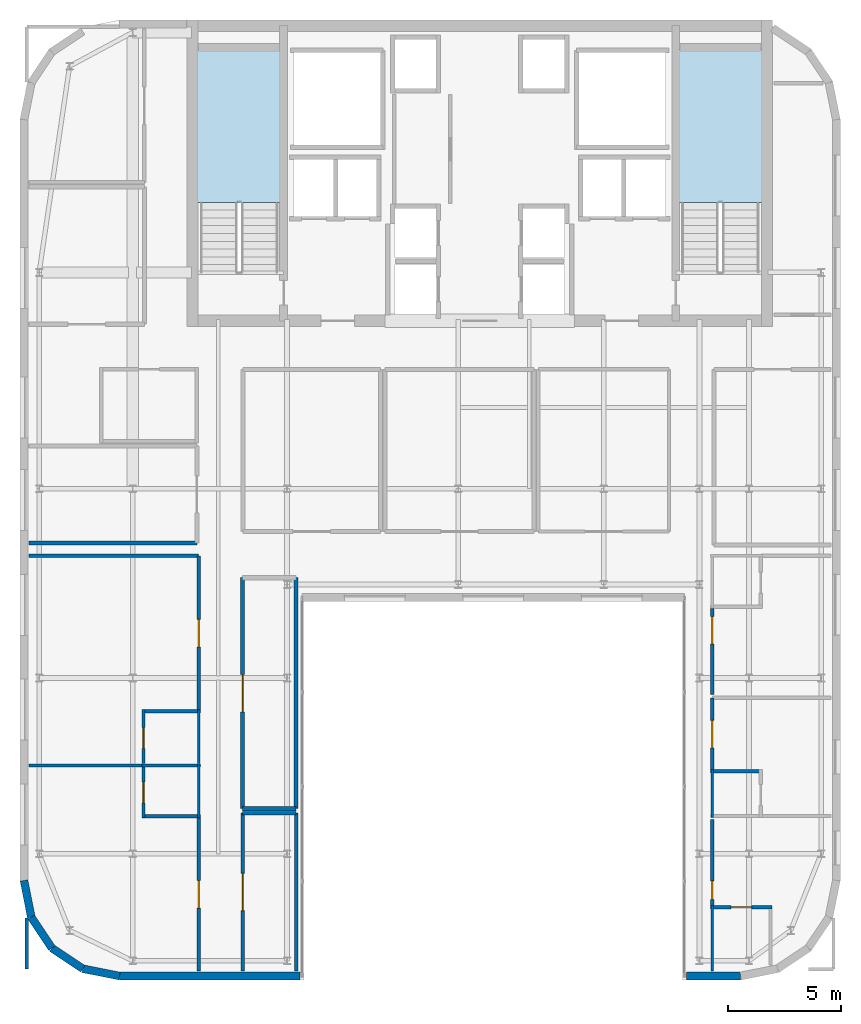
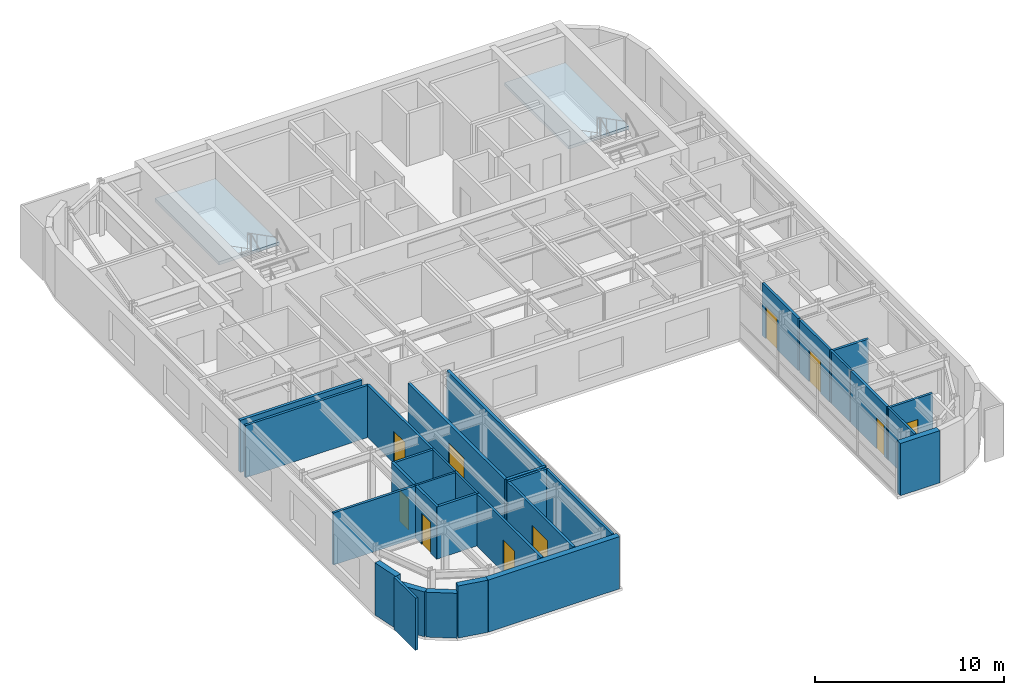
# One storey, part 13 of 18: 32 walls, 10 doors, 2 slabs, 10 openings, 2 elements without a shape of their own.
"""IFC4 building model written with IfcOpenShell, lengths in metres."""

from ifc_helpers import new_model, si_unit, direction, frame, frame_2d, origin, place, context, subcontext, project, spatial, polyline, rectangle, outline, extrude, source, transform, mapped, material, layer, layer_set, type_object, type_shapes, element, fill, aggregate, save


model = new_model("IFC4")

# Units and contexts
model_context = context("Model", 3, precision=1e-05, world=origin(), true_north=direction((0.0, 1.0)))
body_context = subcontext(model_context, "Body", "Model", "MODEL_VIEW")
ifc_project = project(units=[si_unit("LENGTHUNIT", "METRE"), si_unit("AREAUNIT", "SQUARE_METRE"), si_unit("VOLUMEUNIT", "CUBIC_METRE"), si_unit("PLANEANGLEUNIT", "RADIAN"), si_unit("MASSUNIT", "GRAM", prefix="KILO")], contexts=[model_context])

# Site, building, storey
site_placement = place(None, origin())
site = spatial("IfcSite", under=ifc_project, at=site_placement, CompositionType="ELEMENT")
building_placement = place(site_placement, origin())
building = spatial("IfcBuilding", under=site, at=building_placement, Name="Tolvann Quenvar Hotel", CompositionType="ELEMENT")
storey_placement = place(building_placement, frame((0.0, 0.0, 252.300048828125)))
storey = spatial("IfcBuildingStorey", under=building, at=storey_placement, Name="L67", CompositionType="ELEMENT", Elevation=252.300048828125)

# Stair, slab
ifc_material_1 = material(Name="Concrete N40 (40 MPa)", Category="concrete")
stair_type = type_object("IfcStairType", Name="STAIR", PredefinedType="HALF_TURN_STAIR", material=ifc_material_1)
stair_1_placement = place(storey_placement, origin())
stair_1 = element("IfcStair", 1, at=stair_1_placement, inside=storey, type_object=stair_type, Name="L67 ST-C1", PredefinedType="HALF_TURN_STAIR")
ifc_layer_1 = layer(ifc_material_1, 0.199951171875)
ifc_layer_set_1 = layer_set([ifc_layer_1], Name="Concrete N40 (40 MPa)")
slab_type = type_object("IfcSlabType", Name="SLAB_LANDING", PredefinedType="LANDING", material=ifc_layer_set_1)
slab_1_placement = place(storey_placement, frame((0.0, 0.0, 1.574951171875)))
slab_1 = element("IfcSlab", 2, at=slab_1_placement, type_object=slab_type, Name="ST-C1 landing 1", PredefinedType="LANDING", context=body_context, shape_type="SweptSolid", body=[
    extrude(outline(polyline([(14.179931640625, 37.10498046875), (14.179931640625, 43.8798828125), (10.469970703125, 43.8798828125), (10.469970703125, 37.10498046875), (14.179931640625, 37.10498046875)])), origin(), (0.0, 0.0, 1.0), 0.199951171875),
])
aggregate(stair_1, [slab_1])

stair_2_placement = place(storey_placement, origin())
stair_2 = element("IfcStair", 3, at=stair_2_placement, inside=storey, type_object=stair_type, Name="L67 ST-C2", PredefinedType="HALF_TURN_STAIR")
slab_2_placement = place(storey_placement, frame((0.0, 0.0, 1.574951171875)))
slab_2 = element("IfcSlab", 4, at=slab_2_placement, type_object=slab_type, Name="ST-C2 landing 1", PredefinedType="LANDING", context=body_context, shape_type="SweptSolid", body=[
    extrude(outline(polyline([(35.530029296875, 37.10498046875), (35.530029296875, 43.8798828125), (31.820068359375, 43.8798828125), (31.820068359375, 37.10498046875), (35.530029296875, 37.10498046875)])), origin(), (0.0, 0.0, 1.0), 0.199951171875),
])
aggregate(stair_2, [slab_2])

# Walls
ifc_material_2 = material(Name="Kiln-fired red and buff architectural clay brickwork and terracotta masonry", Category="masonry")
ifc_layer_2 = layer(ifc_material_2, 0.35009765625)
ifc_layer_set_2 = layer_set([ifc_layer_2], Name="Kiln-fired red and buff architectural clay brickwork and terracotta masonry")
wall_type_1 = type_object("IfcWallType", Name="WALL_EXT_BRICK_350", PredefinedType="SOLIDWALL", material=ifc_layer_set_2)
for number, where, z_axis, x_axis, name in (
    (5, (3.099609375, 5.384521484375, 0.0), (0.0, 0.0, 1.0), (0.555623290322, -0.831434158098, 0.0), "Exterior Chicago Brick Wall L67-E01"),
    (6, (4.014892578125, 4.014892578125, 0.0), (0.0, 0.0, 1.0), (0.831434158098, -0.555623290322, 0.0), "Exterior Chicago Brick Wall L67-E02"),
):
    element("IfcWall", number, at=place(storey_placement, frame(where, z_axis=z_axis, x_axis=x_axis)), inside=storey, type_object=wall_type_1, Name=name, PredefinedType="SOLIDWALL", context=body_context, shape_type="SweptSolid", body=[
        extrude(rectangle(XDim=1.647216796875, YDim=0.35009765625, at=frame_2d((0.82373046875, 0.0))), origin(), (0.0, 0.0, 1.0), 2.89990234375),
    ])
wall_1_placement = place(storey_placement, frame((5.384521484375, 3.099609375, 0.0), z_axis=(0.0, 0.0, 1.0), x_axis=(0.980788844421, -0.195072403631, 0.0)))
element("IfcWall", 7, at=wall_1_placement, inside=storey, type_object=wall_type_1, Name="Exterior Chicago Brick Wall L67-E03", PredefinedType="SOLIDWALL", context=body_context, shape_type="SweptSolid", body=[
    extrude(rectangle(XDim=1.66455078125, YDim=0.35009765625, at=frame_2d((0.832275390625, 0.0))), origin(), (0.0, 0.0, 1.0), 3.369873046875),
])
wall_2_placement = place(storey_placement, frame((7.01708984375, 2.77490234375, 0.0), z_axis=(0.0, 0.0, 1.0), x_axis=(1.0, 0.0, 0.0)))
element("IfcWall", 8, at=wall_2_placement, inside=storey, type_object=wall_type_1, Name="Exterior Chicago Brick Wall L67-E04", PredefinedType="SOLIDWALL", context=body_context, shape_type="SweptSolid", body=[
    extrude(rectangle(XDim=8.0078125, YDim=0.35009765625, at=frame_2d((4.00390625, 0.0))), origin(), (0.0, 0.0, 1.0), 3.369873046875),
])
wall_3_placement = place(storey_placement, frame((32.175048828125, 2.77490234375, 0.0), z_axis=(0.0, 0.0, 1.0), x_axis=(1.0, 0.0, 0.0)))
element("IfcWall", 9, at=wall_3_placement, inside=storey, type_object=wall_type_1, Name="Exterior Chicago Brick Wall L67-E08", PredefinedType="SOLIDWALL", context=body_context, shape_type="SweptSolid", body=[
    extrude(rectangle(XDim=2.40771484375, YDim=0.35009765625, at=frame_2d((1.203857421875, 0.0))), origin(), (0.0, 0.0, 1.0), 3.369873046875),
])
wall_4_placement = place(storey_placement, frame((2.77490234375, 7.01708984375, 0.0), z_axis=(0.0, 0.0, 1.0), x_axis=(0.195072403631, -0.980788844421, 0.0)))
element("IfcWall", 10, at=wall_4_placement, inside=storey, type_object=wall_type_1, Name="Exterior Chicago Brick Wall L67-E24", PredefinedType="SOLIDWALL", context=body_context, shape_type="SweptSolid", body=[
    extrude(rectangle(XDim=1.66455078125, YDim=0.35009765625, at=frame_2d((0.832275390625, 0.0))), origin(), (0.0, 0.0, 1.0), 3.369873046875),
])
ifc_material_3 = material(Name="Acoustic twin-stud fire-rated gypsum plasterboard partition")
ifc_layer_3 = layer(ifc_material_3, 0.179931640625)
ifc_layer_set_3 = layer_set([ifc_layer_3], Name="Acoustic twin-stud fire-rated gypsum plasterboard partition")
wall_type_2 = type_object("IfcWallType", Name="WALL_PART_ACOUSTIC_180", PredefinedType="PARTITIONING", material=ifc_layer_set_3)
wall_5_placement = place(storey_placement, frame((12.47998046875, 10.199951171875, 0.0), z_axis=(0.0, 0.0, 1.0), x_axis=(1.0, 0.0, 0.0)))
element("IfcWall", 11, at=wall_5_placement, inside=storey, type_object=wall_type_2, Name="Interior Partition PT-SPC-L67-POVL-S", PredefinedType="PARTITIONING", context=body_context, shape_type="SweptSolid", body=[
    extrude(rectangle(XDim=2.3701171875, YDim=0.179931640625, at=frame_2d((1.18505859375, 0.0))), origin(), (0.0, 0.0, 1.0), 3.369873046875),
])

# Wall, opening, door
wall_6_placement = place(storey_placement, frame((12.47998046875, 10.199951171875, 0.0), z_axis=(0.0, 0.0, 1.0), x_axis=(0.0, 1.0, 0.0)))
wall_6 = element("IfcWall", 12, at=wall_6_placement, inside=storey, type_object=wall_type_2, Name="Interior Partition PT-SPC-L67-POVL-W", PredefinedType="PARTITIONING", context=body_context, shape_type="SweptSolid", body=[
    extrude(rectangle(XDim=10.25, YDim=0.179931640625, at=frame_2d((5.125, 0.0))), origin(), (0.0, 0.0, 1.0), 3.369873046875),
])
opening_1_placement = place(wall_6_placement, frame((4.300048828125, 0.0, 0.0)))
opening_1 = element("IfcOpeningElement", 13, at=opening_1_placement, cuts=wall_6, Name="Opening AD-01", PredefinedType="OPENING", context=body_context, shape_type="SweptSolid", body=[
    extrude(rectangle(XDim=1.64990234375, YDim=2.14990234375, at=frame_2d((0.824951171875, 1.074951171875))), frame((0.0, 0.10009765625, 0.0), z_axis=(0.0, -1.0, 0.0), x_axis=(1.0, 0.0, 0.0)), (0.0, 0.0, 1.0), 0.199951171875),
])
ifc_material_4 = material(Name="Solid-core American oak acoustic fire door leaf in steel frame", Category="steel")
door_type_1 = type_object("IfcDoorType", Name="DOOR_SALON_1650", OperationType="NOTDEFINED", PredefinedType="DOOR", material=ifc_material_4)
shared_shape_1 = source(origin(), body_context, "Body", "SweptSolid", [
    extrude(rectangle(XDim=1.64990234375, YDim=2.14990234375, at=frame_2d((0.824951171875, 1.074951171875))), frame((0.0, 0.02490234375, 0.0), z_axis=(0.0, -1.0, 0.0), x_axis=(1.0, 0.0, 0.0)), (0.0, 0.0, 1.0), 0.050048828125),
])
type_shapes(door_type_1, [shared_shape_1])
door_1_placement = place(opening_1_placement, origin())
door_1 = element("IfcDoor", 14, at=door_1_placement, inside=storey, type_object=door_type_1, Name="Interior Door DOOR-SPC-L67-POVL", OperationType="DOUBLE_DOOR_SINGLE_SWING", OverallHeight=2.14990234375, OverallWidth=1.64990234375, PredefinedType="DOOR", context=body_context, shape_type="MappedRepresentation", body=[
    mapped(shared_shape_1, transform((0.0, 0.0, 0.0), x_axis=(1.0, 0.0, 0.0), y_axis=(0.0, 1.0, 0.0), z_axis=(0.0, 0.0, 1.0), scale=1.0)),
])
fill(opening_1, door_1)

# Walls
wall_7_placement = place(storey_placement, frame((14.85009765625, 10.199951171875, 0.0), z_axis=(0.0, 0.0, 1.0), x_axis=(0.0, 1.0, 0.0)))
element("IfcWall", 15, at=wall_7_placement, inside=storey, type_object=wall_type_2, Name="Interior Partition PT-SPC-L67-POVL-E", PredefinedType="PARTITIONING", context=body_context, shape_type="SweptSolid", body=[
    extrude(rectangle(XDim=10.25, YDim=0.179931640625, at=frame_2d((5.125, 0.0))), origin(), (0.0, 0.0, 1.0), 3.369873046875),
])
wall_8_placement = place(storey_placement, frame((3.0048828125, 22.0, 0.0), z_axis=(0.0, 0.0, 1.0), x_axis=(1.0, 0.0, 0.0)))
element("IfcWall", 16, at=wall_8_placement, inside=storey, type_object=wall_type_2, Name="Interior Partition PT-SPC-L67-WCLNG-S", PredefinedType="PARTITIONING", context=body_context, shape_type="SweptSolid", body=[
    extrude(rectangle(XDim=7.445068359375, YDim=0.179931640625, at=frame_2d((3.72265625, 0.0))), origin(), (0.0, 0.0, 1.0), 3.369873046875),
])
ifc_material_5 = material(Name="Moisture-resistant acoustic plumbing wall assembly")
ifc_layer_4 = layer(ifc_material_5, 0.1201171875)
ifc_layer_set_4 = layer_set([ifc_layer_4], Name="Moisture-resistant acoustic plumbing wall assembly")
wall_type_3 = type_object("IfcWallType", Name="WALL_PART_BATH_120", PredefinedType="PLUMBINGWALL", material=ifc_layer_set_4)
wall_9_placement = place(storey_placement, frame((8.010009765625, 12.1201171875, 0.0), z_axis=(0.0, 0.0, 1.0), x_axis=(1.0, 0.0, 0.0)))
element("IfcWall", 17, at=wall_9_placement, inside=storey, type_object=wall_type_3, Name="Non-Rated Plumbing Partition PT-SPC-L67-ENS-PW01-N", PredefinedType="PLUMBINGWALL", context=body_context, shape_type="SweptSolid", body=[
    extrude(rectangle(XDim=2.590087890625, YDim=0.1201171875, at=frame_2d((1.294921875, 0.0))), origin(), (0.0, 0.0, 1.0), 3.369873046875),
])
wall_10_placement = place(storey_placement, frame((10.530029296875, 9.800048828125, 0.0), z_axis=(0.0, 0.0, 1.0), x_axis=(0.0, 1.0, 0.0)))
element("IfcWall", 18, at=wall_10_placement, inside=storey, type_object=wall_type_3, Name="Non-Rated Plumbing Partition PT-SPC-L67-ENS-PW01-E", PredefinedType="PLUMBINGWALL", context=body_context, shape_type="SweptSolid", body=[
    extrude(rectangle(XDim=2.389892578125, YDim=0.1201171875, at=frame_2d((1.19482421875, 0.0))), origin(), (0.0, 0.0, 1.0), 3.369873046875),
])
wall_11_placement = place(storey_placement, frame((10.530029296875, 12.2099609375, 0.0), z_axis=(0.0, 0.0, 1.0), x_axis=(0.0, 1.0, 0.0)))
element("IfcWall", 19, at=wall_11_placement, inside=storey, type_object=wall_type_3, Name="Non-Rated Plumbing Partition PT-SPC-L67-ENS-PW02-E", PredefinedType="PLUMBINGWALL", context=body_context, shape_type="SweptSolid", body=[
    extrude(rectangle(XDim=2.39013671875, YDim=0.1201171875, at=frame_2d((1.195068359375, 0.0))), origin(), (0.0, 0.0, 1.0), 3.369873046875),
])
wall_12_placement = place(storey_placement, frame((33.320068359375, 3.0048828125, 0.0), z_axis=(0.0, 0.0, 1.0), x_axis=(0.0, 1.0, 0.0)))
element("IfcWall", 20, at=wall_12_placement, inside=storey, type_object=wall_type_3, Name="Non-Rated Plumbing Partition PT-SPC-L67-ENS-PE01-W", PredefinedType="PLUMBINGWALL", context=body_context, shape_type="SweptSolid", body=[
    extrude(rectangle(XDim=2.89501953125, YDim=0.1201171875, at=frame_2d((1.447509765625, 0.0))), origin(), (0.0, 0.0, 1.0), 3.369873046875),
])
wall_13_placement = place(storey_placement, frame((33.320068359375, 9.81005859375, 0.0), z_axis=(0.0, 0.0, 1.0), x_axis=(0.0, 1.0, 0.0)))
element("IfcWall", 21, at=wall_13_placement, inside=storey, type_object=wall_type_3, Name="Non-Rated Plumbing Partition PT-SPC-L67-ENS-PE02-W", PredefinedType="PLUMBINGWALL", context=body_context, shape_type="SweptSolid", body=[
    extrude(rectangle(XDim=2.130859375, YDim=0.1201171875, at=frame_2d((1.0654296875, 0.0))), origin(), (0.0, 0.0, 1.0), 3.369873046875),
])

# Wall, opening, door
ifc_layer_5 = layer(ifc_material_3, 0.14990234375)
ifc_layer_set_5 = layer_set([ifc_layer_5], Name="Acoustic twin-stud fire-rated gypsum plasterboard partition")
wall_type_4 = type_object("IfcWallType", Name="WALL_PART_SUITE_150", PredefinedType="PARTITIONING", material=ifc_layer_set_5)
wall_14_placement = place(storey_placement, frame((8.080078125, 9.800048828125, 0.0), z_axis=(0.0, 0.0, 1.0), x_axis=(0.0, 1.0, 0.0)))
wall_14 = element("IfcWall", 22, at=wall_14_placement, inside=storey, type_object=wall_type_4, Name="Interior Partition PT-SPC-L67-ENS-PW01-ENT", PredefinedType="PARTITIONING", context=body_context, shape_type="SweptSolid", body=[
    extrude(rectangle(XDim=2.389892578125, YDim=0.14990234375, at=frame_2d((1.19482421875, 0.0))), origin(), (0.0, 0.0, 1.0), 3.369873046875),
])
opening_2_placement = place(wall_14_placement, frame((0.6650390625, 0.0, 0.0)))
opening_2 = element("IfcOpeningElement", 23, at=opening_2_placement, cuts=wall_14, Name="Opening WD-01", PredefinedType="OPENING", context=body_context, shape_type="SweptSolid", body=[
    extrude(rectangle(XDim=0.919921875, YDim=2.010009765625, at=frame_2d((0.4599609375, 1.0048828125))), frame((0.0, 0.0849609375, 0.0), z_axis=(0.0, -1.0, 0.0), x_axis=(1.0, 0.0, 0.0)), (0.0, 0.0, 1.0), 0.169921875),
])
door_type_2 = type_object("IfcDoorType", Name="DOOR_WC_920", OperationType="NOTDEFINED", PredefinedType="DOOR", material=ifc_material_4)
shared_shape_2 = source(origin(), body_context, "Body", "SweptSolid", [
    extrude(rectangle(XDim=0.919921875, YDim=2.010009765625, at=frame_2d((0.4599609375, 1.0048828125))), frame((0.0, 0.02490234375, 0.0), z_axis=(0.0, -1.0, 0.0), x_axis=(1.0, 0.0, 0.0)), (0.0, 0.0, 1.0), 0.050048828125),
])
type_shapes(door_type_2, [shared_shape_2])
door_2_placement = place(opening_2_placement, origin())
door_2 = element("IfcDoor", 24, at=door_2_placement, inside=storey, type_object=door_type_2, Name="Interior Door DOOR-SPC-L67-ENS-PW01", OperationType="SINGLE_SWING_RIGHT", OverallHeight=2.010009765625, OverallWidth=0.919921875, PredefinedType="DOOR", context=body_context, shape_type="MappedRepresentation", body=[
    mapped(shared_shape_2, transform((0.0, 0.0, 0.0), x_axis=(1.0, 0.0, 0.0), y_axis=(0.0, 1.0, 0.0), z_axis=(0.0, 0.0, 1.0), scale=1.0)),
])
fill(opening_2, door_2)

# Wall
wall_15_placement = place(storey_placement, frame((8.010009765625, 9.8701171875, 0.0), z_axis=(0.0, 0.0, 1.0), x_axis=(1.0, 0.0, 0.0)))
element("IfcWall", 25, at=wall_15_placement, inside=storey, type_object=wall_type_4, Name="Interior Partition PT-SPC-L67-ENS-PW01-S", PredefinedType="PARTITIONING", context=body_context, shape_type="SweptSolid", body=[
    extrude(rectangle(XDim=2.590087890625, YDim=0.14990234375, at=frame_2d((1.294921875, 0.0))), origin(), (0.0, 0.0, 1.0), 3.369873046875),
])

# Wall, opening, door
wall_16_placement = place(storey_placement, frame((8.080078125, 12.2099609375, 0.0), z_axis=(0.0, 0.0, 1.0), x_axis=(0.0, 1.0, 0.0)))
wall_16 = element("IfcWall", 26, at=wall_16_placement, inside=storey, type_object=wall_type_4, Name="Interior Partition PT-SPC-L67-ENS-PW02-ENT", PredefinedType="PARTITIONING", context=body_context, shape_type="SweptSolid", body=[
    extrude(rectangle(XDim=2.39013671875, YDim=0.14990234375, at=frame_2d((1.195068359375, 0.0))), origin(), (0.0, 0.0, 1.0), 3.369873046875),
])
opening_3_placement = place(wall_16_placement, frame((0.6650390625, 0.0, 0.0)))
opening_3 = element("IfcOpeningElement", 27, at=opening_3_placement, cuts=wall_16, Name="Opening WD-01", PredefinedType="OPENING", context=body_context, shape_type="SweptSolid", body=[
    extrude(rectangle(XDim=0.919921875, YDim=2.010009765625, at=frame_2d((0.4599609375, 1.0048828125))), frame((0.0, 0.0849609375, 0.0), z_axis=(0.0, -1.0, 0.0), x_axis=(1.0, 0.0, 0.0)), (0.0, 0.0, 1.0), 0.169921875),
])
door_3_placement = place(opening_3_placement, origin())
door_3 = element("IfcDoor", 28, at=door_3_placement, inside=storey, type_object=door_type_2, Name="Interior Door DOOR-SPC-L67-ENS-PW02", OperationType="SINGLE_SWING_LEFT", OverallHeight=2.010009765625, OverallWidth=0.919921875, PredefinedType="DOOR", context=body_context, shape_type="MappedRepresentation", body=[
    mapped(shared_shape_2, transform((0.0, 0.0, 0.0), x_axis=(1.0, 0.0, 0.0), y_axis=(0.0, 1.0, 0.0), z_axis=(0.0, 0.0, 1.0), scale=1.0)),
])
fill(opening_3, door_3)

# Wall
wall_17_placement = place(storey_placement, frame((8.010009765625, 14.530029296875, 0.0), z_axis=(0.0, 0.0, 1.0), x_axis=(1.0, 0.0, 0.0)))
element("IfcWall", 29, at=wall_17_placement, inside=storey, type_object=wall_type_4, Name="Interior Partition PT-SPC-L67-ENS-PW02-N", PredefinedType="PARTITIONING", context=body_context, shape_type="SweptSolid", body=[
    extrude(rectangle(XDim=2.590087890625, YDim=0.14990234375, at=frame_2d((1.294921875, 0.0))), origin(), (0.0, 0.0, 1.0), 3.369873046875),
])

# Wall, opening, door
wall_18_placement = place(storey_placement, frame((33.25, 5.830078125, 0.0), z_axis=(0.0, 0.0, 1.0), x_axis=(1.0, 0.0, 0.0)))
wall_18 = element("IfcWall", 30, at=wall_18_placement, inside=storey, type_object=wall_type_4, Name="Interior Partition PT-SPC-L67-ENS-PE01-N", PredefinedType="PARTITIONING", context=body_context, shape_type="SweptSolid", body=[
    extrude(rectangle(XDim=2.721923828125, YDim=0.14990234375, at=frame_2d((1.36083984375, 0.0))), origin(), (0.0, 0.0, 1.0), 3.369873046875),
])
opening_4_placement = place(wall_18_placement, frame((0.90087890625, 0.0, 0.0)))
opening_4 = element("IfcOpeningElement", 31, at=opening_4_placement, cuts=wall_18, Name="Opening WD-01", PredefinedType="OPENING", context=body_context, shape_type="SweptSolid", body=[
    extrude(rectangle(XDim=0.919921875, YDim=2.010009765625, at=frame_2d((0.4599609375, 1.0048828125))), frame((0.0, 0.0849609375, 0.0), z_axis=(0.0, -1.0, 0.0), x_axis=(1.0, 0.0, 0.0)), (0.0, 0.0, 1.0), 0.169921875),
])
door_4_placement = place(opening_4_placement, origin())
door_4 = element("IfcDoor", 32, at=door_4_placement, inside=storey, type_object=door_type_2, Name="Interior Door DOOR-SPC-L67-ENS-PE01", OperationType="SINGLE_SWING_RIGHT", OverallHeight=2.010009765625, OverallWidth=0.919921875, PredefinedType="DOOR", context=body_context, shape_type="MappedRepresentation", body=[
    mapped(shared_shape_2, transform((0.0, 0.0, 0.0), x_axis=(1.0, 0.0, 0.0), y_axis=(0.0, 1.0, 0.0), z_axis=(0.0, 0.0, 1.0), scale=1.0)),
])
fill(opening_4, door_4)

# Wall
wall_19_placement = place(storey_placement, frame((33.25, 11.87109375, 0.0), z_axis=(0.0, 0.0, 1.0), x_axis=(1.0, 0.0, 0.0)))
element("IfcWall", 33, at=wall_19_placement, inside=storey, type_object=wall_type_4, Name="Interior Partition PT-SPC-L67-ENS-PE02-N", PredefinedType="PARTITIONING", context=body_context, shape_type="SweptSolid", body=[
    extrude(rectangle(XDim=2.2900390625, YDim=0.14990234375, at=frame_2d((1.14501953125, 0.0))), origin(), (0.0, 0.0, 1.0), 3.369873046875),
])

# Wall, opening, door
wall_20_placement = place(storey_placement, frame((10.530029296875, 3.0048828125, 0.0), z_axis=(0.0, 0.0, 1.0), x_axis=(0.0, 1.0, 0.0)))
wall_20 = element("IfcWall", 34, at=wall_20_placement, inside=storey, type_object=wall_type_4, Name="Interior Partition PT-SPC-L67-RM-PW01-ENT", PredefinedType="PARTITIONING", context=body_context, shape_type="SweptSolid", body=[
    extrude(rectangle(XDim=6.78515625, YDim=0.14990234375, at=frame_2d((3.392578125, 0.0))), origin(), (0.0, 0.0, 1.0), 3.369873046875),
])
opening_5_placement = place(wall_20_placement, frame((2.7900390625, 0.0, 0.0)))
opening_5 = element("IfcOpeningElement", 35, at=opening_5_placement, cuts=wall_20, Name="Opening SD-02", PredefinedType="OPENING", context=body_context, shape_type="SweptSolid", body=[
    extrude(rectangle(XDim=1.219970703125, YDim=2.080078125, at=frame_2d((0.60986328125, 1.0400390625))), frame((0.0, 0.0849609375, 0.0), z_axis=(0.0, -1.0, 0.0), x_axis=(1.0, 0.0, 0.0)), (0.0, 0.0, 1.0), 0.169921875),
])
door_type_3 = type_object("IfcDoorType", Name="DOOR_VIP_1220", OperationType="NOTDEFINED", PredefinedType="DOOR", material=ifc_material_4)
shared_shape_3 = source(origin(), body_context, "Body", "SweptSolid", [
    extrude(rectangle(XDim=1.219970703125, YDim=2.080078125, at=frame_2d((0.60986328125, 1.0400390625))), frame((0.0, 0.02490234375, 0.0), z_axis=(0.0, -1.0, 0.0), x_axis=(1.0, 0.0, 0.0)), (0.0, 0.0, 1.0), 0.050048828125),
])
type_shapes(door_type_3, [shared_shape_3])
door_5_placement = place(opening_5_placement, origin())
door_5 = element("IfcDoor", 36, at=door_5_placement, inside=storey, type_object=door_type_3, Name="Interior Door DOOR-SPC-L67-RM-PW01", OperationType="SINGLE_SWING_RIGHT", OverallHeight=2.080078125, OverallWidth=1.219970703125, PredefinedType="DOOR", context=body_context, shape_type="MappedRepresentation", body=[
    mapped(shared_shape_3, transform((0.0, 0.0, 0.0), x_axis=(1.0, 0.0, 0.0), y_axis=(0.0, 1.0, 0.0), z_axis=(0.0, 0.0, 1.0), scale=1.0)),
])
fill(opening_5, door_5)

# Walls
wall_21_placement = place(storey_placement, frame((3.0048828125, 12.1201171875, 0.0), z_axis=(0.0, 0.0, 1.0), x_axis=(1.0, 0.0, 0.0)))
element("IfcWall", 37, at=wall_21_placement, inside=storey, type_object=wall_type_4, Name="Interior Partition PT-SPC-L67-RM-PW01-E5", PredefinedType="PARTITIONING", context=body_context, shape_type="SweptSolid", body=[
    extrude(rectangle(XDim=5.05517578125, YDim=0.14990234375, at=frame_2d((2.527587890625, 0.0))), origin(), (0.0, 0.0, 1.0), 3.369873046875),
])
wall_22_placement = place(storey_placement, frame((2.89990234375, 3.080078125, 0.0), z_axis=(0.0, 0.0, 1.0), x_axis=(0.0, 1.0, 0.0)))
element("IfcWall", 38, at=wall_22_placement, inside=storey, type_object=wall_type_4, Name="Interior Partition PT-SPC-L67-RM-PW01-E6", PredefinedType="PARTITIONING", context=body_context, shape_type="SweptSolid", body=[
    extrude(rectangle(XDim=2.264892578125, YDim=0.14990234375, at=frame_2d((1.13232421875, 0.0))), origin(), (0.0, 0.0, 1.0), 3.369873046875),
])

# Wall, opening, door
wall_23_placement = place(storey_placement, frame((10.530029296875, 14.610107421875, 0.0), z_axis=(0.0, 0.0, 1.0), x_axis=(0.0, 1.0, 0.0)))
wall_23 = element("IfcWall", 39, at=wall_23_placement, inside=storey, type_object=wall_type_4, Name="Interior Partition PT-SPC-L67-RM-PW02-ENT", PredefinedType="PARTITIONING", context=body_context, shape_type="SweptSolid", body=[
    extrude(rectangle(XDim=6.809814453125, YDim=0.14990234375, at=frame_2d((3.40478515625, 0.0))), origin(), (0.0, 0.0, 1.0), 3.369873046875),
])
opening_6_placement = place(wall_23_placement, frame((2.77490234375, 0.0, 0.0)))
opening_6 = element("IfcOpeningElement", 40, at=opening_6_placement, cuts=wall_23, Name="Opening SD-02", PredefinedType="OPENING", context=body_context, shape_type="SweptSolid", body=[
    extrude(rectangle(XDim=1.219970703125, YDim=2.080078125, at=frame_2d((0.60986328125, 1.0400390625))), frame((0.0, 0.0849609375, 0.0), z_axis=(0.0, -1.0, 0.0), x_axis=(1.0, 0.0, 0.0)), (0.0, 0.0, 1.0), 0.169921875),
])
door_6_placement = place(opening_6_placement, origin())
door_6 = element("IfcDoor", 41, at=door_6_placement, inside=storey, type_object=door_type_3, Name="Interior Door DOOR-SPC-L67-RM-PW02", OperationType="SINGLE_SWING_LEFT", OverallHeight=2.080078125, OverallWidth=1.219970703125, PredefinedType="DOOR", context=body_context, shape_type="MappedRepresentation", body=[
    mapped(shared_shape_3, transform((0.0, 0.0, 0.0), x_axis=(1.0, 0.0, 0.0), y_axis=(0.0, 1.0, 0.0), z_axis=(0.0, 0.0, 1.0), scale=1.0)),
])
fill(opening_6, door_6)

# Wall
wall_24_placement = place(storey_placement, frame((3.0048828125, 21.419921875, 0.0), z_axis=(0.0, 0.0, 1.0), x_axis=(1.0, 0.0, 0.0)))
element("IfcWall", 42, at=wall_24_placement, inside=storey, type_object=wall_type_4, Name="Interior Partition PT-SPC-L67-RM-PW02-E5", PredefinedType="PARTITIONING", context=body_context, shape_type="SweptSolid", body=[
    extrude(rectangle(XDim=7.525146484375, YDim=0.14990234375, at=frame_2d((3.7626953125, 0.0))), origin(), (0.0, 0.0, 1.0), 3.369873046875),
])

# Wall, opening, door
wall_25_placement = place(storey_placement, frame((33.320068359375, 5.909912109375, 0.0), z_axis=(0.0, 0.0, 1.0), x_axis=(0.0, 1.0, 0.0)))
wall_25 = element("IfcWall", 43, at=wall_25_placement, inside=storey, type_object=wall_type_4, Name="Interior Partition PT-SPC-L67-RM-PE01-ENT", PredefinedType="PARTITIONING", context=body_context, shape_type="SweptSolid", body=[
    extrude(rectangle(XDim=3.81005859375, YDim=0.14990234375, at=frame_2d((1.905029296875, 0.0))), origin(), (0.0, 0.0, 1.0), 3.369873046875),
])
opening_7_placement = place(wall_25_placement, frame((0.27001953125, 0.0, 0.0)))
opening_7 = element("IfcOpeningElement", 44, at=opening_7_placement, cuts=wall_25, Name="Opening HD-02", PredefinedType="OPENING", context=body_context, shape_type="SweptSolid", body=[
    extrude(rectangle(XDim=0.820068359375, YDim=2.010009765625, at=frame_2d((0.41015625, 1.0048828125))), frame((0.0, 0.0849609375, 0.0), z_axis=(0.0, -1.0, 0.0), x_axis=(1.0, 0.0, 0.0)), (0.0, 0.0, 1.0), 0.169921875),
])
ifc_material_6 = material(Name="Pressed galvanised steel fire-rated door set", Category="steel")
door_type_4 = type_object("IfcDoorType", Name="DOOR_STORE_820", OperationType="NOTDEFINED", PredefinedType="DOOR", material=ifc_material_6)
shared_shape_4 = source(origin(), body_context, "Body", "SweptSolid", [
    extrude(rectangle(XDim=0.820068359375, YDim=2.010009765625, at=frame_2d((0.41015625, 1.0048828125))), frame((0.0, 0.02490234375, 0.0), z_axis=(0.0, -1.0, 0.0), x_axis=(1.0, 0.0, 0.0)), (0.0, 0.0, 1.0), 0.050048828125),
])
type_shapes(door_type_4, [shared_shape_4])
door_7_placement = place(opening_7_placement, origin())
door_7 = element("IfcDoor", 45, at=door_7_placement, inside=storey, type_object=door_type_4, Name="Interior Door DOOR-SPC-L67-RM-PE01", OperationType="SINGLE_SWING_RIGHT", OverallHeight=2.010009765625, OverallWidth=0.820068359375, PredefinedType="DOOR", context=body_context, shape_type="MappedRepresentation", body=[
    mapped(shared_shape_4, transform((0.0, 0.0, 0.0), x_axis=(1.0, 0.0, 0.0), y_axis=(0.0, 1.0, 0.0), z_axis=(0.0, 0.0, 1.0), scale=1.0)),
])
fill(opening_7, door_7)

wall_26_placement = place(storey_placement, frame((33.320068359375, 11.950927734375, 0.0), z_axis=(0.0, 0.0, 1.0), x_axis=(0.0, 1.0, 0.0)))
wall_26 = element("IfcWall", 46, at=wall_26_placement, inside=storey, type_object=wall_type_4, Name="Interior Partition PT-SPC-L67-RM-PE02-ENT", PredefinedType="PARTITIONING", context=body_context, shape_type="SweptSolid", body=[
    extrude(rectangle(XDim=3.169189453125, YDim=0.14990234375, at=frame_2d((1.58447265625, 0.0))), origin(), (0.0, 0.0, 1.0), 3.369873046875),
])
opening_8_placement = place(wall_26_placement, frame((0.95458984375, 0.0, 0.0)))
opening_8 = element("IfcOpeningElement", 47, at=opening_8_placement, cuts=wall_26, Name="Opening SD-02", PredefinedType="OPENING", context=body_context, shape_type="SweptSolid", body=[
    extrude(rectangle(XDim=1.219970703125, YDim=2.080078125, at=frame_2d((0.60986328125, 1.0400390625))), frame((0.0, 0.0849609375, 0.0), z_axis=(0.0, -1.0, 0.0), x_axis=(1.0, 0.0, 0.0)), (0.0, 0.0, 1.0), 0.169921875),
])
door_8_placement = place(opening_8_placement, origin())
door_8 = element("IfcDoor", 48, at=door_8_placement, inside=storey, type_object=door_type_3, Name="Interior Door DOOR-SPC-L67-RM-PE02", OperationType="SINGLE_SWING_LEFT", OverallHeight=2.080078125, OverallWidth=1.219970703125, PredefinedType="DOOR", context=body_context, shape_type="MappedRepresentation", body=[
    mapped(shared_shape_3, transform((0.0, 0.0, 0.0), x_axis=(1.0, 0.0, 0.0), y_axis=(0.0, 1.0, 0.0), z_axis=(0.0, 0.0, 1.0), scale=1.0)),
])
fill(opening_8, door_8)

wall_27_placement = place(storey_placement, frame((33.320068359375, 15.280029296875, 0.0), z_axis=(0.0, 0.0, 1.0), x_axis=(0.0, 1.0, 0.0)))
wall_27 = element("IfcWall", 49, at=wall_27_placement, inside=storey, type_object=wall_type_4, Name="Interior Partition PT-SPC-L67-RM-PE03-ENT", PredefinedType="PARTITIONING", context=body_context, shape_type="SweptSolid", body=[
    extrude(rectangle(XDim=3.81005859375, YDim=0.14990234375, at=frame_2d((1.905029296875, 0.0))), origin(), (0.0, 0.0, 1.0), 3.369873046875),
])
opening_9_placement = place(wall_27_placement, frame((2.22509765625, 0.0, 0.0)))
opening_9 = element("IfcOpeningElement", 50, at=opening_9_placement, cuts=wall_27, Name="Opening SD-02", PredefinedType="OPENING", context=body_context, shape_type="SweptSolid", body=[
    extrude(rectangle(XDim=1.219970703125, YDim=2.080078125, at=frame_2d((0.60986328125, 1.0400390625))), frame((0.0, 0.0849609375, 0.0), z_axis=(0.0, -1.0, 0.0), x_axis=(1.0, 0.0, 0.0)), (0.0, 0.0, 1.0), 0.169921875),
])
door_9_placement = place(opening_9_placement, origin())
door_9 = element("IfcDoor", 51, at=door_9_placement, inside=storey, type_object=door_type_3, Name="Interior Door DOOR-SPC-L67-RM-PE03", OperationType="SINGLE_SWING_RIGHT", OverallHeight=2.080078125, OverallWidth=1.219970703125, PredefinedType="DOOR", context=body_context, shape_type="MappedRepresentation", body=[
    mapped(shared_shape_3, transform((0.0, 0.0, 0.0), x_axis=(1.0, 0.0, 0.0), y_axis=(0.0, 1.0, 0.0), z_axis=(0.0, 0.0, 1.0), scale=1.0)),
])
fill(opening_9, door_9)

# Wall
wall_28_placement = place(storey_placement, frame((12.47998046875, 10.0, 0.0), z_axis=(0.0, 0.0, 1.0), x_axis=(1.0, 0.0, 0.0)))
element("IfcWall", 52, at=wall_28_placement, inside=storey, type_object=wall_type_4, Name="Interior Partition PT-SPC-L67-PSOUTH-N", PredefinedType="PARTITIONING", context=body_context, shape_type="SweptSolid", body=[
    extrude(rectangle(XDim=2.3701171875, YDim=0.14990234375, at=frame_2d((1.18505859375, 0.0))), origin(), (0.0, 0.0, 1.0), 3.369873046875),
])

# Wall, opening, door
wall_29_placement = place(storey_placement, frame((12.47998046875, 3.0048828125, 0.0), z_axis=(0.0, 0.0, 1.0), x_axis=(0.0, 1.0, 0.0)))
wall_29 = element("IfcWall", 53, at=wall_29_placement, inside=storey, type_object=wall_type_4, Name="Interior Partition PT-SPC-L67-PSOUTH-W", PredefinedType="PARTITIONING", context=body_context, shape_type="SweptSolid", body=[
    extrude(rectangle(XDim=6.9951171875, YDim=0.14990234375, at=frame_2d((3.49755859375, 0.0))), origin(), (0.0, 0.0, 1.0), 3.369873046875),
])
opening_10_placement = place(wall_29_placement, frame((2.672607421875, 0.0, 0.0)))
opening_10 = element("IfcOpeningElement", 54, at=opening_10_placement, cuts=wall_29, Name="Opening AD-01", PredefinedType="OPENING", context=body_context, shape_type="SweptSolid", body=[
    extrude(rectangle(XDim=1.64990234375, YDim=2.14990234375, at=frame_2d((0.824951171875, 1.074951171875))), frame((0.0, 0.0849609375, 0.0), z_axis=(0.0, -1.0, 0.0), x_axis=(1.0, 0.0, 0.0)), (0.0, 0.0, 1.0), 0.169921875),
])
door_10_placement = place(opening_10_placement, origin())
door_10 = element("IfcDoor", 55, at=door_10_placement, inside=storey, type_object=door_type_1, Name="Interior Door DOOR-SPC-L67-PSOUTH", OperationType="DOUBLE_DOOR_SINGLE_SWING", OverallHeight=2.14990234375, OverallWidth=1.64990234375, PredefinedType="DOOR", context=body_context, shape_type="MappedRepresentation", body=[
    mapped(shared_shape_1, transform((0.0, 0.0, 0.0), x_axis=(1.0, 0.0, 0.0), y_axis=(0.0, 1.0, 0.0), z_axis=(0.0, 0.0, 1.0), scale=1.0)),
])
fill(opening_10, door_10)

# Wall
wall_30_placement = place(storey_placement, frame((14.85009765625, 3.0048828125, 0.0), z_axis=(0.0, 0.0, 1.0), x_axis=(0.0, 1.0, 0.0)))
element("IfcWall", 56, at=wall_30_placement, inside=storey, type_object=wall_type_4, Name="Interior Partition PT-SPC-L67-PSOUTH-E", PredefinedType="PARTITIONING", context=body_context, shape_type="SweptSolid", body=[
    extrude(rectangle(XDim=6.9951171875, YDim=0.14990234375, at=frame_2d((3.49755859375, 0.0))), origin(), (0.0, 0.0, 1.0), 3.369873046875),
])

save(model, "model.ifc")
